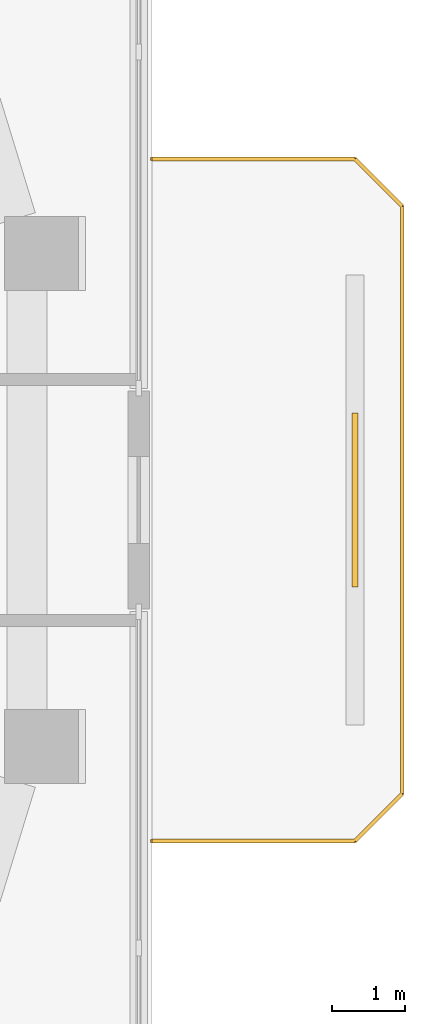
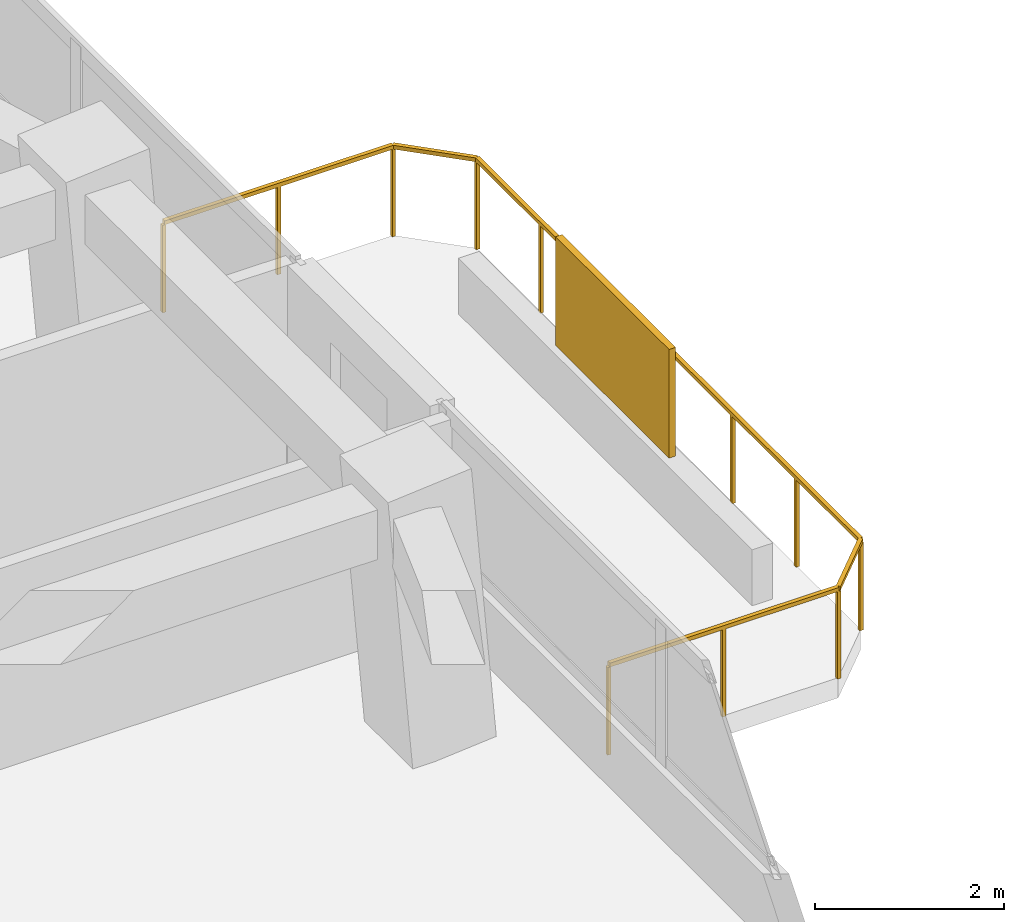
# One storey, part 14 of 14: 1 railing, 1 shading device.
"""IFC4 building model written with IfcOpenShell, lengths in metres."""

from ifc_helpers import new_model, si_unit, derived_unit, direction, frame, origin, origin_2d, place, context, subcontext, project, spatial, rectangle, extrude, material, layer, layer_set, type_object, element, save


model = new_model("IFC4")

# Units and contexts
model_context = context("Model", 3, precision=1e-05, world=origin(), true_north=direction((0.0, 1.0)))
body_context = subcontext(model_context, "Body", "Model", "MODEL_VIEW")
ifc_project = project(units=[si_unit("LENGTHUNIT", "METRE"), si_unit("AREAUNIT", "SQUARE_METRE"), si_unit("VOLUMEUNIT", "CUBIC_METRE"), si_unit("PLANEANGLEUNIT", "RADIAN"), si_unit("MASSUNIT", "GRAM", prefix="KILO"), derived_unit("THERMALTRANSMITTANCEUNIT", [(si_unit("POWERUNIT", "WATT"), 1), (si_unit("LENGTHUNIT", "METRE"), -2), (si_unit("THERMODYNAMICTEMPERATUREUNIT", "KELVIN"), -1)])], contexts=[model_context])

# Site, building, storey
site_placement = place(None, origin())
site = spatial("IfcSite", under=ifc_project, at=site_placement, CompositionType="ELEMENT")
building_placement = place(site_placement, origin())
building = spatial("IfcBuilding", under=site, at=building_placement, Name="Koralith Skygarden Medical Center", CompositionType="ELEMENT")
storey_placement = place(building_placement, frame((0.0, 0.0, 120.780029296875)))
storey = spatial("IfcBuildingStorey", under=building, at=storey_placement, Name="L31", CompositionType="ELEMENT", Elevation=120.780029296875)

# Railing
ifc_material_1 = material(Name="Steel ASTM A500 Grade C", Category="steel")
railing_type = type_object("IfcRailingType", Name="Outdoor Terrace & Balcony Safety Guardrail 1180", PredefinedType="GUARDRAIL", material=ifc_material_1)
railing_placement = place(storey_placement, frame((61.179931640625, 21.199951171875, 0.0)))
element("IfcRailing", 1, at=railing_placement, inside=storey, type_object=railing_type, Name="L31 E Balcony Perimeter Guardrail", PredefinedType="GUARDRAIL", context=body_context, shape_type="SweptSolid", body=[
    extrude(rectangle(XDim=0.050048828125, YDim=0.050048828125, at=origin_2d()), frame((0.001953125, 0.0, 1.15478515625), z_axis=(1.0, 0.0, 0.0), x_axis=(0.0, 1.0, 0.0)), (0.0, 0.0, 1.0), 2.796142578125),
    extrude(rectangle(XDim=0.050048828125, YDim=0.050048828125, at=origin_2d()), frame((2.801513671875, 0.00146484375, 1.15478515625), z_axis=(0.706973978714, 0.707239558722, 0.0), x_axis=(-0.707239558722, 0.706973978714, 0.0)), (0.0, 0.0, 1.0), 0.915283203125),
    extrude(rectangle(XDim=0.050048828125, YDim=0.050048828125, at=origin_2d()), frame((3.449951171875, 0.652099609375, 1.15478515625), z_axis=(0.0, 1.0, 0.0), x_axis=(-1.0, 0.0, 0.0)), (0.0, 0.0, 1.0), 8.095947265625),
    extrude(rectangle(XDim=0.050048828125, YDim=0.050048828125, at=origin_2d()), frame((3.448486328125, 8.75146484375, 1.15478515625), z_axis=(-0.706973978714, 0.707239558722, 0.0), x_axis=(-0.707239558722, -0.706973978714, 0.0)), (0.0, 0.0, 1.0), 0.915283203125),
    extrude(rectangle(XDim=0.050048828125, YDim=0.050048828125, at=origin_2d()), frame((2.798095703125, 9.400146484375, 1.15478515625), z_axis=(-1.0, 0.0, 0.0), x_axis=(0.0, -1.0, 0.0)), (0.0, 0.0, 1.0), 2.796142578125),
    extrude(rectangle(XDim=0.0419921875, YDim=0.0419921875, at=origin_2d()), origin(), (0.0, 0.0, 1.0), 1.1279296875),
    extrude(rectangle(XDim=0.0419921875, YDim=0.0419921875, at=origin_2d()), frame((1.39990234375, 0.0, 0.0)), (0.0, 0.0, 1.0), 1.1279296875),
    extrude(rectangle(XDim=0.0419921875, YDim=0.0419921875, at=origin_2d()), frame((2.800048828125, 0.0, 0.0)), (0.0, 0.0, 1.0), 1.1279296875),
    extrude(rectangle(XDim=0.0419921875, YDim=0.0419921875, at=origin_2d()), frame((3.449951171875, 0.650146484375, 0.0)), (0.0, 0.0, 1.0), 1.1279296875),
    extrude(rectangle(XDim=0.0419921875, YDim=0.0419921875, at=origin_2d()), frame((3.449951171875, 2.0, 0.0)), (0.0, 0.0, 1.0), 1.1279296875),
    extrude(rectangle(XDim=0.0419921875, YDim=0.0419921875, at=origin_2d()), frame((3.449951171875, 3.35009765625, 0.0)), (0.0, 0.0, 1.0), 1.1279296875),
    extrude(rectangle(XDim=0.0419921875, YDim=0.0419921875, at=origin_2d()), frame((3.449951171875, 4.7001953125, 0.0)), (0.0, 0.0, 1.0), 1.1279296875),
    extrude(rectangle(XDim=0.0419921875, YDim=0.0419921875, at=origin_2d()), frame((3.449951171875, 6.050048828125, 0.0)), (0.0, 0.0, 1.0), 1.1279296875),
    extrude(rectangle(XDim=0.0419921875, YDim=0.0419921875, at=origin_2d()), frame((3.449951171875, 7.39990234375, 0.0)), (0.0, 0.0, 1.0), 1.1279296875),
    extrude(rectangle(XDim=0.0419921875, YDim=0.0419921875, at=origin_2d()), frame((3.449951171875, 8.75, 0.0)), (0.0, 0.0, 1.0), 1.1279296875),
    extrude(rectangle(XDim=0.0419921875, YDim=0.0419921875, at=origin_2d()), frame((2.800048828125, 9.400146484375, 0.0)), (0.0, 0.0, 1.0), 1.1279296875),
    extrude(rectangle(XDim=0.0419921875, YDim=0.0419921875, at=origin_2d()), frame((1.39990234375, 9.400146484375, 0.0)), (0.0, 0.0, 1.0), 1.1279296875),
    extrude(rectangle(XDim=0.0419921875, YDim=0.0419921875, at=origin_2d()), frame((0.0, 9.400146484375, 0.0)), (0.0, 0.0, 1.0), 1.1279296875),
])

# Shading device
ifc_material_2 = material(Name="Aluminium 6063-T6", Category="aluminium")
ifc_layer = layer(ifc_material_2, 0.080078125)
ifc_layer_set = layer_set([ifc_layer], Name="Aluminium 6063-T6")
shading_device_type = type_object("IfcShadingDeviceType", Name="Perforated Biophilic Balcony Trellis Screen", PredefinedType="USERDEFINED", material=ifc_layer_set)
shading_device_placement = place(storey_placement, frame((63.97998046875, 25.89990234375, 0.719970703125), z_axis=(0.0, 0.0, 1.0), x_axis=(0.0, 1.0, 0.0)))
element("IfcShadingDevice", 2, at=shading_device_placement, inside=storey, type_object=shading_device_type, Name="L31 E Biophilic Balcony Trellis Screen", ObjectType="HURRICANE SCREEN", PredefinedType="USERDEFINED", context=body_context, shape_type="SweptSolid", body=[
    extrude(rectangle(XDim=2.39990234375, YDim=0.080078125, at=origin_2d()), origin(), (0.0, 0.0, 1.0), 1.39990234375),
])

save(model, "model.ifc")
